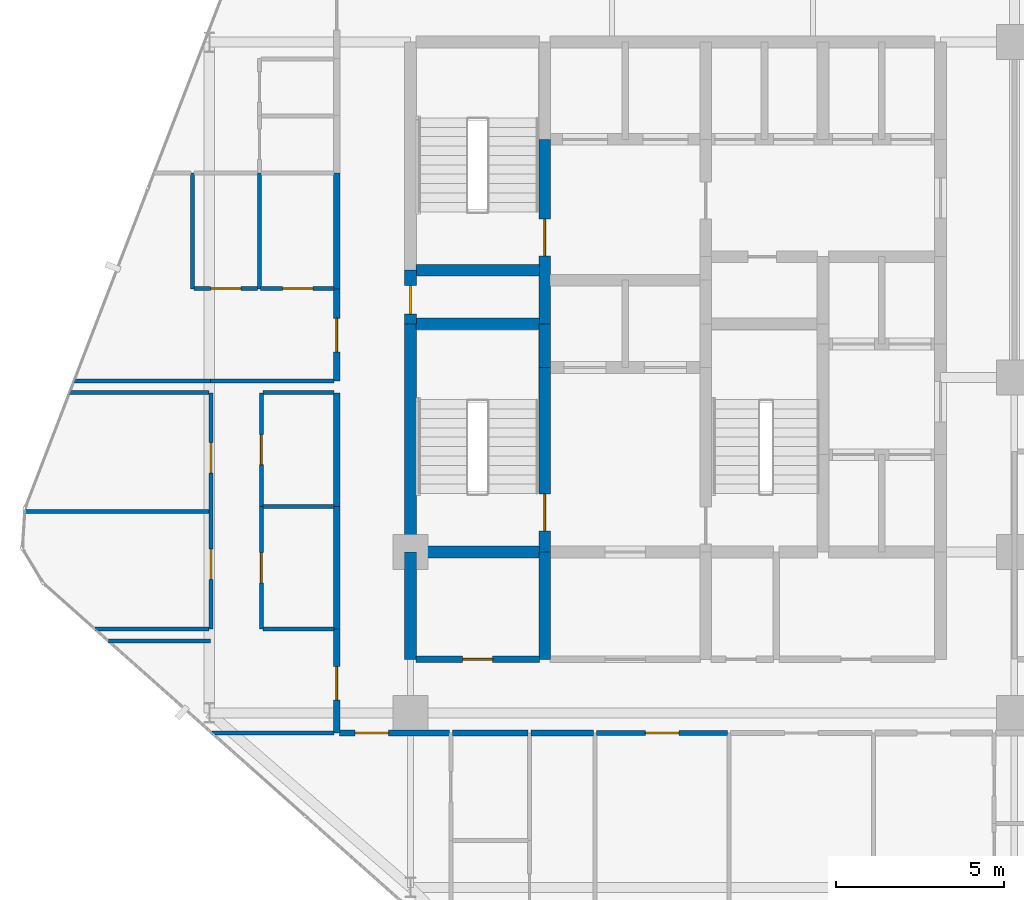
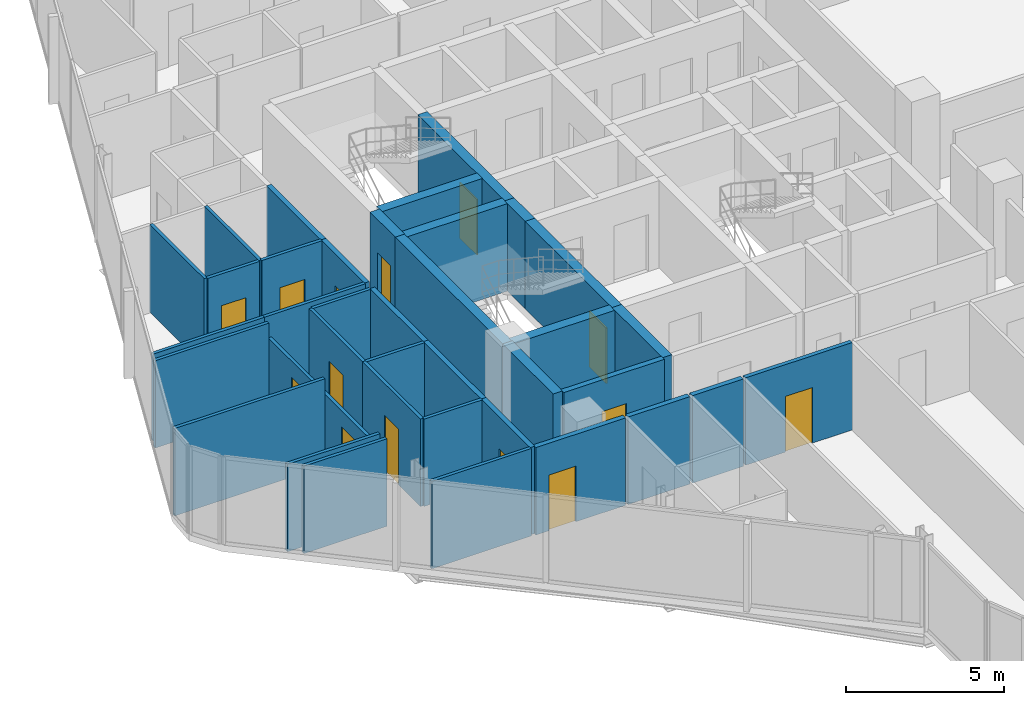
# One storey, part 24 of 30: 37 walls, 14 doors, 14 openings.
"""IFC4 building model written with IfcOpenShell, lengths in metres."""

import ifcopenshell
import ifcopenshell.guid

model = None  # the IFC model being written
_history = None  # IfcOwnerHistory: only IFC2X3 demands one
_inside = {}  # id of a spatial element -> (the spatial element, [elements in it])
_under = {}  # id of a project, library or spatial element -> (it, [spatial elements below it])
_declared = {}  # id of a project -> (the project, [libraries it declares])
_typed = {}  # id of a type object -> (the type object, [elements of that type])
_made_of = {}  # id of a material, layer set ... -> (it, [elements and type objects made of it])


def new_model(schema):
    """Start an empty IFC model of exactly this schema.

    Asked for "IFC4X3", IfcOpenShell would pick the latest addendum, in which some entities
    have other attributes; the version numbers below select the first issue.
    IFC2X3 requires an IfcOwnerHistory on every rooted entity: one is made here for all.
    """
    global model, _history
    if schema == "IFC4X3":
        model = ifcopenshell.file(schema_version=(4, 3, 0, 0))
    else:
        model = ifcopenshell.file(schema=schema)
    _inside.clear()
    _under.clear()
    _declared.clear()
    _typed.clear()
    _made_of.clear()
    _history = None
    if model.schema == "IFC2X3":
        org = make("IfcOrganization", Name="unknown")
        user = make(
            "IfcPersonAndOrganization",
            ThePerson=make("IfcPerson", FamilyName="unknown"),
            TheOrganization=org,
        )
        app = make(
            "IfcApplication",
            ApplicationDeveloper=org,
            Version="unknown",
            ApplicationFullName="unknown",
            ApplicationIdentifier="unknown",
        )
        _history = make(
            "IfcOwnerHistory",
            OwningUser=user,
            OwningApplication=app,
            ChangeAction="ADDED",
            CreationDate=0,
        )
    return model


def make(cls, **values):
    """One entity of the class cls with the attributes given. An attribute that is None is left unset."""
    return model.create_entity(
        cls, **{name: value for name, value in values.items() if value is not None}
    )


def rooted(cls, **values):
    """An entity with a GlobalId (a new one), such as an element, a storey or a relation."""
    return make(cls, GlobalId=ifcopenshell.guid.new(), OwnerHistory=_history, **values)


def si_unit(unit_type, name, prefix=None):
    """IfcSIUnit, for example si_unit("LENGTHUNIT", "METRE", prefix="MILLI")."""
    return make("IfcSIUnit", UnitType=unit_type, Prefix=prefix, Name=name)


def assignment(units):
    """IfcUnitAssignment: the units of a project."""
    return None if units is None else make("IfcUnitAssignment", Units=units)


def point(xyz):
    """IfcCartesianPoint."""
    return None if xyz is None else make("IfcCartesianPoint", Coordinates=xyz)


def direction(xyz):
    """IfcDirection."""
    return None if xyz is None else make("IfcDirection", DirectionRatios=xyz)


def frame(location, z_axis=None, x_axis=None):
    """IfcAxis2Placement3D, a coordinate frame: its origin and axes. An axis left out is left unset."""
    return make(
        "IfcAxis2Placement3D",
        Location=point(location),
        Axis=direction(z_axis),
        RefDirection=direction(x_axis),
    )


def frame_2d(location, x_axis=None):
    """IfcAxis2Placement2D, a coordinate frame in the plane: its origin and x axis."""
    return make(
        "IfcAxis2Placement2D", Location=point(location), RefDirection=direction(x_axis)
    )


def origin():
    """The frame at (0, 0, 0) with its axes left unset."""
    return frame((0.0, 0.0, 0.0))


def place(relative_to, where):
    """IfcLocalPlacement: puts the frame where relative to a parent placement (None: the world)."""
    return make(
        "IfcLocalPlacement", PlacementRelTo=relative_to, RelativePlacement=where
    )


def context(
    kind, dimensions, precision=None, world=None, true_north=None, identifier=None
):
    """IfcGeometricRepresentationContext, for example the 3D "Model" context."""
    return make(
        "IfcGeometricRepresentationContext",
        ContextIdentifier=identifier,
        ContextType=kind,
        CoordinateSpaceDimension=dimensions,
        Precision=precision,
        WorldCoordinateSystem=world,
        TrueNorth=true_north,
    )


def subcontext(parent, identifier, kind, view, scale=None):
    """IfcGeometricRepresentationSubContext, for example "Body" below "Model"."""
    return make(
        "IfcGeometricRepresentationSubContext",
        ContextIdentifier=identifier,
        ContextType=kind,
        ParentContext=parent,
        TargetScale=scale,
        TargetView=view,
    )


def project(units=None, contexts=None):
    """IfcProject with its units and contexts."""
    return rooted(
        "IfcProject",
        Name="project",
        RepresentationContexts=contexts,
        UnitsInContext=assignment(units),
    )


def spatial(cls, under=None, at=None, **own):
    """A site, building, storey or space (cls), placed at a placement, below another one or the project."""
    s = rooted(cls, ObjectPlacement=at, **own)
    if under is not None:
        _under.setdefault(under.id(), (under, []))[1].append(s)
    return s


def profile(cls, at=None, kind="AREA", **sizes):
    """A parametric profile (cls). Its sizes go by their IFC names, for example OverallWidth=200.0."""
    return make(cls, ProfileType=kind, Position=at, **sizes)


def rectangle(**sizes):
    """IfcRectangleProfileDef."""
    return profile("IfcRectangleProfileDef", **sizes)


def extrude(swept, where, along, depth):
    """IfcExtrudedAreaSolid: the profile swept, set in the frame where, extruded along a direction by depth."""
    return make(
        "IfcExtrudedAreaSolid",
        SweptArea=swept,
        Position=where,
        ExtrudedDirection=direction(along),
        Depth=depth,
    )


def shape(context_of_items, identifier, shape_type, items):
    """IfcShapeRepresentation: the items that make up one representation, for example the "Body"."""
    return make(
        "IfcShapeRepresentation",
        ContextOfItems=context_of_items,
        RepresentationIdentifier=identifier,
        RepresentationType=shape_type,
        Items=items,
    )


def material(Name=None, Category=None):
    """IfcMaterial."""
    return make("IfcMaterial", Name=Name, Category=Category)


def layer(
    of_material, thickness, ventilated=None, Name=None, Category=None, Priority=None
):
    """IfcMaterialLayer: one layer of a wall or slab, of a material (None: an air gap)."""
    return make(
        "IfcMaterialLayer",
        Material=of_material,
        LayerThickness=thickness,
        IsVentilated=ventilated,
        Name=Name,
        Category=Category,
        Priority=Priority,
    )


def layer_set(layers, Name=None):
    """IfcMaterialLayerSet."""
    return make("IfcMaterialLayerSet", MaterialLayers=layers, LayerSetName=Name)


def made_of(thing, what):
    """Note that an element or type object is made of a material, layer set ...; save() writes the relation."""
    if what is not None:
        _made_of.setdefault(what.id(), (what, []))[1].append(thing)
    return thing


def type_object(cls, material=None, **own):
    """A type object (cls), such as IfcWallType, which elements share."""
    return made_of(rooted(cls, **own), material)


def element(
    cls,
    number,
    at=None,
    inside=None,
    cuts=None,
    type_object=None,
    material=None,
    context=None,
    identifier="Body",
    shape_type=None,
    held_by="IfcProductDefinitionShape",
    body=None,
    shapes=None,
    **own,
):
    """One element of the class cls, such as IfcWall. Its Tag is "e" and its number.

    at: its placement. inside: the storey or other place that contains it. cuts: it is an
    opening in that element (IfcRelVoidsElement). A single representation is given by context,
    identifier, shape_type and body (its items); several are given by shapes. held_by: the class
    of the entity that holds the representations. save() writes the other relations.
    """
    e = rooted(cls, Tag="e%d" % number, ObjectPlacement=at, **own)
    if body is not None:
        shapes = [shape(context, identifier, shape_type, body)]
    if shapes is not None:
        e.Representation = make(held_by, Representations=shapes)
    if inside is not None:
        _inside.setdefault(inside.id(), (inside, []))[1].append(e)
    if cuts is not None:
        rooted(
            "IfcRelVoidsElement", RelatingBuildingElement=cuts, RelatedOpeningElement=e
        )
    if type_object is not None:
        _typed.setdefault(type_object.id(), (type_object, []))[1].append(e)
    return made_of(e, material)


def fill(opening, filler):
    """IfcRelFillsElement: the door or window that sits in an opening."""
    return rooted(
        "IfcRelFillsElement",
        RelatingOpeningElement=opening,
        RelatedBuildingElement=filler,
    )


def aggregate(whole, parts):
    """IfcRelAggregates: a whole, such as a stair, and the parts it consists of."""
    return rooted("IfcRelAggregates", RelatingObject=whole, RelatedObjects=parts)


def save(model, path):
    """Write the relations noted so far, then the file.

    IfcRelAggregates (storeys below a building ...), IfcRelContainedInSpatialStructure (elements
    in a storey), IfcRelDefinesByType, IfcRelAssociatesMaterial and IfcRelDeclares: one each for
    every whole, place, type object, material and project.
    """
    for whole, parts in _under.values():
        aggregate(whole, parts)
    for where, things in _inside.values():
        rooted(
            "IfcRelContainedInSpatialStructure",
            RelatedElements=things,
            RelatingStructure=where,
        )
    for kind, things in _typed.values():
        rooted("IfcRelDefinesByType", RelatedObjects=things, RelatingType=kind)
    for what, things in _made_of.values():
        rooted("IfcRelAssociatesMaterial", RelatedObjects=things, RelatingMaterial=what)
    for by, libraries in _declared.values():
        rooted("IfcRelDeclares", RelatingContext=by, RelatedDefinitions=libraries)
    model.write(path)


model = new_model("IFC4")

# Units and contexts
model_context = context("Model", 3, precision=1e-05, world=origin(), true_north=direction((0.0, 1.0)))
body_context = subcontext(model_context, "Body", "Model", "MODEL_VIEW")
ifc_project = project(units=[si_unit("LENGTHUNIT", "METRE"), si_unit("AREAUNIT", "SQUARE_METRE"), si_unit("VOLUMEUNIT", "CUBIC_METRE"), si_unit("PLANEANGLEUNIT", "RADIAN"), si_unit("MASSUNIT", "GRAM", prefix="KILO")], contexts=[model_context])

# Site, building, storey
site_placement = place(None, origin())
site = spatial("IfcSite", under=ifc_project, at=site_placement, CompositionType="ELEMENT")
building_placement = place(site_placement, origin())
building = spatial("IfcBuilding", under=site, at=building_placement, Name="Keshet Zoharim Tower", CompositionType="ELEMENT")
storey_placement = place(building_placement, frame((0.0, 0.0, 116.800048828125)))
storey = spatial("IfcBuildingStorey", under=building, at=storey_placement, Name="L28", CompositionType="ELEMENT", Elevation=116.800048828125)

# Wall, opening, door
ifc_material_1 = material(Name="Gypsum Plasterboard", Category="gypsum")
ifc_layer_1 = layer(ifc_material_1, 0.14990234375)
ifc_layer_set_1 = layer_set([ifc_layer_1], Name="Gypsum Plasterboard")
wall_type_1 = type_object("IfcWallType", Name="WL-CLIN-150", PredefinedType="STANDARD", material=ifc_layer_set_1)
wall_1_placement = place(storey_placement, frame((20.544921875, 17.300048828125, 0.0), z_axis=(0.0, 0.0, 1.0), x_axis=(1.0, 0.0, 0.0)))
wall_1 = element("IfcWall", 1, at=wall_1_placement, inside=storey, type_object=wall_type_1, Name="L28 Interior Wall 130", PredefinedType="STANDARD", context=body_context, shape_type="SweptSolid", body=[
    extrude(rectangle(XDim=3.91015625, YDim=0.14990234375, at=frame_2d((1.955078125, 0.0))), origin(), (0.0, 0.0, 1.0), 3.3798828125),
])
opening_1_placement = place(wall_1_placement, frame((1.455078125, 0.0, 0.0)))
opening_1 = element("IfcOpeningElement", 2, at=opening_1_placement, cuts=wall_1, Name="Opening D-F310", PredefinedType="OPENING", context=body_context, shape_type="SweptSolid", body=[
    extrude(rectangle(XDim=1.0, YDim=2.14990234375, at=frame_2d((0.5, 1.074951171875))), frame((0.0, 0.0849609375, 0.0), z_axis=(0.0, -1.0, 0.0), x_axis=(1.0, 0.0, 0.0)), (0.0, 0.0, 1.0), 0.169921875),
])
ifc_material_2 = material(Name="Hardwood Timber", Category="wood")
door_type_1 = type_object("IfcDoorType", Name="DR-FD30-100", OperationType="NOTDEFINED", PredefinedType="DOOR", material=ifc_material_2)
door_1_placement = place(opening_1_placement, origin())
door_1 = element("IfcDoor", 3, at=door_1_placement, inside=storey, type_object=door_type_1, Name="L28 Residents Telework Office Door", OperationType="SINGLE_SWING_LEFT", OverallHeight=2.14990234375, OverallWidth=1.0, PredefinedType="DOOR", context=body_context, shape_type="SweptSolid", body=[
    extrude(rectangle(XDim=1.0, YDim=2.14990234375, at=frame_2d((0.5, 1.074951171875))), frame((0.0, 0.02490234375, 0.0), z_axis=(0.0, -1.0, 0.0), x_axis=(1.0, 0.0, 0.0)), (0.0, 0.0, 1.0), 0.050048828125),
])
fill(opening_1, door_1)

# Walls
ifc_material_3 = material(Name="Concrete C60/75", Category="concrete")
ifc_layer_2 = layer(ifc_material_3, 0.35009765625)
ifc_layer_set_2 = layer_set([ifc_layer_2], Name="Concrete C60/75")
wall_type_2 = type_object("IfcWallType", Name="WL-CORE-350", PredefinedType="SHEAR", material=ifc_layer_set_2)
wall_2_placement = place(storey_placement, frame((15.0, 19.5, 0.0), z_axis=(0.0, 0.0, 1.0), x_axis=(0.0, 1.0, 0.0)))
element("IfcWall", 4, at=wall_2_placement, inside=storey, type_object=wall_type_2, Name="L28 Core Shear Wall 019", PredefinedType="SHEAR", context=body_context, shape_type="SweptSolid", body=[
    extrude(rectangle(XDim=3.199951171875, YDim=0.35009765625, at=frame_2d((1.60009765625, 0.0))), origin(), (0.0, 0.0, 1.0), 3.3798828125),
])
wall_3_placement = place(storey_placement, frame((15.0, 22.699951171875, 0.0), z_axis=(0.0, 0.0, 1.0), x_axis=(0.0, 1.0, 0.0)))
element("IfcWall", 5, at=wall_3_placement, inside=storey, type_object=wall_type_2, Name="L28 Core Shear Wall 020", PredefinedType="SHEAR", context=body_context, shape_type="SweptSolid", body=[
    extrude(rectangle(XDim=6.800048828125, YDim=0.35009765625, at=frame_2d((3.39990234375, 0.0))), origin(), (0.0, 0.0, 1.0), 3.3798828125),
])

# Wall, opening, door
wall_4_placement = place(storey_placement, frame((15.0, 29.5, 0.0), z_axis=(0.0, 0.0, 1.0), x_axis=(0.0, 1.0, 0.0)))
wall_4 = element("IfcWall", 6, at=wall_4_placement, inside=storey, type_object=wall_type_2, Name="L28 Core Shear Wall 021", PredefinedType="SHEAR", context=body_context, shape_type="SweptSolid", body=[
    extrude(rectangle(XDim=1.60009765625, YDim=0.35009765625, at=frame_2d((0.800048828125, 0.0))), origin(), (0.0, 0.0, 1.0), 3.3798828125),
])
opening_2_placement = place(wall_4_placement, frame((0.287109375, 0.0, 0.0)))
opening_2 = element("IfcOpeningElement", 7, at=opening_2_placement, cuts=wall_4, Name="Opening D-RS85", PredefinedType="OPENING", context=body_context, shape_type="SweptSolid", body=[
    extrude(rectangle(XDim=0.85009765625, YDim=2.10009765625, at=frame_2d((0.425048828125, 1.050048828125))), frame((0.0, 0.18505859375, 0.0), z_axis=(0.0, -1.0, 0.0), x_axis=(1.0, 0.0, 0.0)), (0.0, 0.0, 1.0), 0.3701171875),
])
door_type_2 = type_object("IfcDoorType", Name="DR-RIS-085", OperationType="NOTDEFINED", PredefinedType="DOOR", material=ifc_material_2)
door_2_placement = place(opening_2_placement, origin())
door_2 = element("IfcDoor", 8, at=door_2_placement, inside=storey, type_object=door_type_2, Name="L28 Electrical Riser Access Cupboard Door", OperationType="SINGLE_SWING_LEFT", OverallHeight=2.10009765625, OverallWidth=0.85009765625, PredefinedType="DOOR", context=body_context, shape_type="SweptSolid", body=[
    extrude(rectangle(XDim=0.85009765625, YDim=2.10009765625, at=frame_2d((0.425048828125, 1.050048828125))), frame((0.0, 0.02490234375, 0.0), z_axis=(0.0, -1.0, 0.0), x_axis=(1.0, 0.0, 0.0)), (0.0, 0.0, 1.0), 0.050048828125),
])
fill(opening_2, door_2)

# Wall
wall_5_placement = place(storey_placement, frame((19.0, 19.5, 0.0), z_axis=(0.0, 0.0, 1.0), x_axis=(0.0, 1.0, 0.0)))
element("IfcWall", 9, at=wall_5_placement, inside=storey, type_object=wall_type_2, Name="L28 Core Shear Wall 029", PredefinedType="SHEAR", context=body_context, shape_type="SweptSolid", body=[
    extrude(rectangle(XDim=3.199951171875, YDim=0.35009765625, at=frame_2d((1.60009765625, 0.0))), origin(), (0.0, 0.0, 1.0), 3.3798828125),
])

# Wall, opening, door
wall_6_placement = place(storey_placement, frame((19.0, 22.699951171875, 0.0), z_axis=(0.0, 0.0, 1.0), x_axis=(0.0, 1.0, 0.0)))
wall_6 = element("IfcWall", 10, at=wall_6_placement, inside=storey, type_object=wall_type_2, Name="L28 Core Shear Wall 030", PredefinedType="SHEAR", context=body_context, shape_type="SweptSolid", body=[
    extrude(rectangle(XDim=5.5, YDim=0.35009765625, at=frame_2d((2.75, 0.0))), origin(), (0.0, 0.0, 1.0), 3.3798828125),
])
opening_3_placement = place(wall_6_placement, frame((0.631103515625, 0.0, 0.0)))
opening_3 = element("IfcOpeningElement", 11, at=opening_3_placement, cuts=wall_6, Name="Opening D-F611", PredefinedType="OPENING", context=body_context, shape_type="SweptSolid", body=[
    extrude(rectangle(XDim=1.10009765625, YDim=2.14990234375, at=frame_2d((0.550048828125, 1.074951171875))), frame((0.0, 0.18505859375, 0.0), z_axis=(0.0, -1.0, 0.0), x_axis=(1.0, 0.0, 0.0)), (0.0, 0.0, 1.0), 0.3701171875),
])
door_type_3 = type_object("IfcDoorType", Name="DR-FD60-110", OperationType="NOTDEFINED", PredefinedType="DOOR", material=ifc_material_2)
door_3_placement = place(opening_3_placement, origin())
door_3 = element("IfcDoor", 12, at=door_3_placement, inside=storey, type_object=door_type_3, Name="L28 Exit Stair ST-01 Fire Door", OperationType="SINGLE_SWING_RIGHT", OverallHeight=2.14990234375, OverallWidth=1.10009765625, PredefinedType="DOOR", context=body_context, shape_type="SweptSolid", body=[
    extrude(rectangle(XDim=1.10009765625, YDim=2.14990234375, at=frame_2d((0.550048828125, 1.074951171875))), frame((0.0, 0.02490234375, 0.0), z_axis=(0.0, -1.0, 0.0), x_axis=(1.0, 0.0, 0.0)), (0.0, 0.0, 1.0), 0.050048828125),
])
fill(opening_3, door_3)

# Wall
wall_7_placement = place(storey_placement, frame((19.0, 28.199951171875, 0.0), z_axis=(0.0, 0.0, 1.0), x_axis=(0.0, 1.0, 0.0)))
element("IfcWall", 13, at=wall_7_placement, inside=storey, type_object=wall_type_2, Name="L28 Core Shear Wall 031", PredefinedType="SHEAR", context=body_context, shape_type="SweptSolid", body=[
    extrude(rectangle(XDim=1.300048828125, YDim=0.35009765625, at=frame_2d((0.64990234375, 0.0))), origin(), (0.0, 0.0, 1.0), 3.3798828125),
])

# Wall, opening, door
wall_8_placement = place(storey_placement, frame((19.0, 29.5, 0.0), z_axis=(0.0, 0.0, 1.0), x_axis=(0.0, 1.0, 0.0)))
wall_8 = element("IfcWall", 14, at=wall_8_placement, inside=storey, type_object=wall_type_2, Name="L28 Core Shear Wall 032", PredefinedType="SHEAR", context=body_context, shape_type="SweptSolid", body=[
    extrude(rectangle(XDim=5.5, YDim=0.35009765625, at=frame_2d((2.75, 0.0))), origin(), (0.0, 0.0, 1.0), 3.3798828125),
])
opening_4_placement = place(wall_8_placement, frame((2.02490234375, 0.0, 0.0)))
opening_4 = element("IfcOpeningElement", 15, at=opening_4_placement, cuts=wall_8, Name="Opening D-F611", PredefinedType="OPENING", context=body_context, shape_type="SweptSolid", body=[
    extrude(rectangle(XDim=1.10009765625, YDim=2.14990234375, at=frame_2d((0.550048828125, 1.074951171875))), frame((0.0, 0.18505859375, 0.0), z_axis=(0.0, -1.0, 0.0), x_axis=(1.0, 0.0, 0.0)), (0.0, 0.0, 1.0), 0.3701171875),
])
door_4_placement = place(opening_4_placement, origin())
door_4 = element("IfcDoor", 16, at=door_4_placement, inside=storey, type_object=door_type_3, Name="L28 Exit Stair ST-02 Fire Door", OperationType="SINGLE_SWING_LEFT", OverallHeight=2.14990234375, OverallWidth=1.10009765625, PredefinedType="DOOR", context=body_context, shape_type="SweptSolid", body=[
    extrude(rectangle(XDim=1.10009765625, YDim=2.14990234375, at=frame_2d((0.550048828125, 1.074951171875))), frame((0.0, 0.02490234375, 0.0), z_axis=(0.0, -1.0, 0.0), x_axis=(1.0, 0.0, 0.0)), (0.0, 0.0, 1.0), 0.050048828125),
])
fill(opening_4, door_4)

# Walls
for number, where, z_axis, x_axis, name in (
    (17, (15.159912109375, 22.699951171875, 0.0), (0.0, 0.0, 1.0), (1.0, 0.0, 0.0), "L28 Core Shear Wall 149"),
    (18, (15.159912109375, 29.5, 0.0), (0.0, 0.0, 1.0), (1.0, 0.0, 0.0), "L28 Core Shear Wall 165"),
    (19, (15.159912109375, 31.10009765625, 0.0), (0.0, 0.0, 1.0), (1.0, 0.0, 0.0), "L28 Core Shear Wall 170"),
):
    element("IfcWall", number, at=place(storey_placement, frame(where, z_axis=z_axis, x_axis=x_axis)), inside=storey, type_object=wall_type_2, Name=name, PredefinedType="SHEAR", context=body_context, shape_type="SweptSolid", body=[
        extrude(rectangle(XDim=3.68017578125, YDim=0.35009765625, at=frame_2d((1.840087890625, 0.0))), origin(), (0.0, 0.0, 1.0), 3.3798828125),
    ])

# Wall, opening, door
ifc_layer_3 = layer(ifc_material_1, 0.179931640625)
ifc_layer_set_3 = layer_set([ifc_layer_3], Name="Gypsum Plasterboard")
wall_type_3 = type_object("IfcWallType", Name="WL-CORR-180", PredefinedType="STANDARD", material=ifc_layer_set_3)
wall_9_placement = place(storey_placement, frame((12.800048828125, 17.300048828125, 0.0), z_axis=(0.0, 0.0, 1.0), x_axis=(0.0, 1.0, 0.0)))
wall_9 = element("IfcWall", 20, at=wall_9_placement, inside=storey, type_object=wall_type_3, Name="L28 Interior Wall 008", PredefinedType="STANDARD", context=body_context, shape_type="SweptSolid", body=[
    extrude(rectangle(XDim=3.099853515625, YDim=0.179931640625, at=frame_2d((1.5498046875, 0.0))), origin(), (0.0, 0.0, 1.0), 3.3798828125),
])
opening_5_placement = place(wall_9_placement, frame((0.97802734375, 0.0, 0.0)))
opening_5 = element("IfcOpeningElement", 21, at=opening_5_placement, cuts=wall_9, Name="Opening D-F310", PredefinedType="OPENING", context=body_context, shape_type="SweptSolid", body=[
    extrude(rectangle(XDim=1.0, YDim=2.14990234375, at=frame_2d((0.5, 1.074951171875))), frame((0.0, 0.10009765625, 0.0), z_axis=(0.0, -1.0, 0.0), x_axis=(1.0, 0.0, 0.0)), (0.0, 0.0, 1.0), 0.199951171875),
])
door_5_placement = place(opening_5_placement, origin())
door_5 = element("IfcDoor", 22, at=door_5_placement, inside=storey, type_object=door_type_1, Name="Apartment 2809 Entrance Door", OperationType="SINGLE_SWING_RIGHT", OverallHeight=2.14990234375, OverallWidth=1.0, PredefinedType="DOOR", context=body_context, shape_type="SweptSolid", body=[
    extrude(rectangle(XDim=1.0, YDim=2.14990234375, at=frame_2d((0.5, 1.074951171875))), frame((0.0, 0.02490234375, 0.0), z_axis=(0.0, -1.0, 0.0), x_axis=(1.0, 0.0, 0.0)), (0.0, 0.0, 1.0), 0.050048828125),
])
fill(opening_5, door_5)

# Walls
wall_10_placement = place(storey_placement, frame((12.800048828125, 20.39990234375, 0.0), z_axis=(0.0, 0.0, 1.0), x_axis=(0.0, 1.0, 0.0)))
element("IfcWall", 23, at=wall_10_placement, inside=storey, type_object=wall_type_3, Name="L28 Interior Wall 009", PredefinedType="STANDARD", context=body_context, shape_type="SweptSolid", body=[
    extrude(rectangle(XDim=3.6611328125, YDim=0.179931640625, at=frame_2d((1.83056640625, 0.0))), origin(), (0.0, 0.0, 1.0), 3.3798828125),
])
wall_11_placement = place(storey_placement, frame((12.800048828125, 24.06103515625, 0.0), z_axis=(0.0, 0.0, 1.0), x_axis=(0.0, 1.0, 0.0)))
element("IfcWall", 24, at=wall_11_placement, inside=storey, type_object=wall_type_3, Name="L28 Interior Wall 010", PredefinedType="STANDARD", context=body_context, shape_type="SweptSolid", body=[
    extrude(rectangle(XDim=3.37890625, YDim=0.179931640625, at=frame_2d((1.689453125, 0.0))), origin(), (0.0, 0.0, 1.0), 3.3798828125),
])

# Wall, opening, door
wall_12_placement = place(storey_placement, frame((12.800048828125, 27.7900390625, 0.0), z_axis=(0.0, 0.0, 1.0), x_axis=(0.0, 1.0, 0.0)))
wall_12 = element("IfcWall", 25, at=wall_12_placement, inside=storey, type_object=wall_type_3, Name="L28 Interior Wall 011", PredefinedType="STANDARD", context=body_context, shape_type="SweptSolid", body=[
    extrude(rectangle(XDim=2.75, YDim=0.179931640625, at=frame_2d((1.375, 0.0))), origin(), (0.0, 0.0, 1.0), 3.3798828125),
])
opening_6_placement = place(wall_12_placement, frame((0.875, 0.0, 0.0)))
opening_6 = element("IfcOpeningElement", 26, at=opening_6_placement, cuts=wall_12, Name="Opening D-F310", PredefinedType="OPENING", context=body_context, shape_type="SweptSolid", body=[
    extrude(rectangle(XDim=1.0, YDim=2.14990234375, at=frame_2d((0.5, 1.074951171875))), frame((0.0, 0.10009765625, 0.0), z_axis=(0.0, -1.0, 0.0), x_axis=(1.0, 0.0, 0.0)), (0.0, 0.0, 1.0), 0.199951171875),
])
door_6_placement = place(opening_6_placement, origin())
door_6 = element("IfcDoor", 27, at=door_6_placement, inside=storey, type_object=door_type_1, Name="Apartment 2810 Entrance Door", OperationType="SINGLE_SWING_LEFT", OverallHeight=2.14990234375, OverallWidth=1.0, PredefinedType="DOOR", context=body_context, shape_type="SweptSolid", body=[
    extrude(rectangle(XDim=1.0, YDim=2.14990234375, at=frame_2d((0.5, 1.074951171875))), frame((0.0, 0.02490234375, 0.0), z_axis=(0.0, -1.0, 0.0), x_axis=(1.0, 0.0, 0.0)), (0.0, 0.0, 1.0), 0.050048828125),
])
fill(opening_6, door_6)

# Wall
wall_13_placement = place(storey_placement, frame((12.800048828125, 30.5400390625, 0.0), z_axis=(0.0, 0.0, 1.0), x_axis=(0.0, 1.0, 0.0)))
element("IfcWall", 28, at=wall_13_placement, inside=storey, type_object=wall_type_3, Name="L28 Interior Wall 012", PredefinedType="STANDARD", context=body_context, shape_type="SweptSolid", body=[
    extrude(rectangle(XDim=3.4599609375, YDim=0.179931640625, at=frame_2d((1.72998046875, 0.0))), origin(), (0.0, 0.0, 1.0), 3.3798828125),
])

# Wall, opening, door
wall_14_placement = place(storey_placement, frame((12.875, 17.300048828125, 0.0), z_axis=(0.0, 0.0, 1.0), x_axis=(1.0, 0.0, 0.0)))
wall_14 = element("IfcWall", 29, at=wall_14_placement, inside=storey, type_object=wall_type_3, Name="L28 Interior Wall 127", PredefinedType="STANDARD", context=body_context, shape_type="SweptSolid", body=[
    extrude(rectangle(XDim=3.280029296875, YDim=0.179931640625, at=frame_2d((1.64013671875, 0.0))), origin(), (0.0, 0.0, 1.0), 3.3798828125),
])
opening_7_placement = place(wall_14_placement, frame((0.470947265625, 0.0, 0.0)))
opening_7 = element("IfcOpeningElement", 30, at=opening_7_placement, cuts=wall_14, Name="Opening D-F310", PredefinedType="OPENING", context=body_context, shape_type="SweptSolid", body=[
    extrude(rectangle(XDim=1.0, YDim=2.14990234375, at=frame_2d((0.5, 1.074951171875))), frame((0.0, 0.10009765625, 0.0), z_axis=(0.0, -1.0, 0.0), x_axis=(1.0, 0.0, 0.0)), (0.0, 0.0, 1.0), 0.199951171875),
])
door_7_placement = place(opening_7_placement, origin())
door_7 = element("IfcDoor", 31, at=door_7_placement, inside=storey, type_object=door_type_1, Name="Apartment 2801 Entrance Door", OperationType="SINGLE_SWING_RIGHT", OverallHeight=2.14990234375, OverallWidth=1.0, PredefinedType="DOOR", context=body_context, shape_type="SweptSolid", body=[
    extrude(rectangle(XDim=1.0, YDim=2.14990234375, at=frame_2d((0.5, 1.074951171875))), frame((0.0, 0.02490234375, 0.0), z_axis=(0.0, -1.0, 0.0), x_axis=(1.0, 0.0, 0.0)), (0.0, 0.0, 1.0), 0.050048828125),
])
fill(opening_7, door_7)

# Walls
wall_15_placement = place(storey_placement, frame((16.2451171875, 17.300048828125, 0.0), z_axis=(0.0, 0.0, 1.0), x_axis=(1.0, 0.0, 0.0)))
element("IfcWall", 32, at=wall_15_placement, inside=storey, type_object=wall_type_3, Name="L28 Interior Wall 128", PredefinedType="STANDARD", context=body_context, shape_type="SweptSolid", body=[
    extrude(rectangle(XDim=2.259765625, YDim=0.179931640625, at=frame_2d((1.1298828125, 0.0))), origin(), (0.0, 0.0, 1.0), 3.3798828125),
])
wall_16_placement = place(storey_placement, frame((18.594970703125, 17.300048828125, 0.0), z_axis=(0.0, 0.0, 1.0), x_axis=(1.0, 0.0, 0.0)))
element("IfcWall", 33, at=wall_16_placement, inside=storey, type_object=wall_type_3, Name="L28 Interior Wall 129", PredefinedType="STANDARD", context=body_context, shape_type="SweptSolid", body=[
    extrude(rectangle(XDim=1.860107421875, YDim=0.179931640625, at=frame_2d((0.93017578125, 0.0))), origin(), (0.0, 0.0, 1.0), 3.3798828125),
])

# Wall, opening, door
ifc_material_4 = material(Name="Concrete C50/60", Category="concrete")
ifc_layer_4 = layer(ifc_material_4, 0.199951171875)
ifc_layer_set_4 = layer_set([ifc_layer_4], Name="Concrete C50/60")
wall_type_4 = type_object("IfcWallType", Name="WL-FIRE-200", PredefinedType="STANDARD", material=ifc_layer_set_4)
wall_17_placement = place(storey_placement, frame((15.159912109375, 19.5, 0.0), z_axis=(0.0, 0.0, 1.0), x_axis=(1.0, 0.0, 0.0)))
wall_17 = element("IfcWall", 34, at=wall_17_placement, inside=storey, type_object=wall_type_4, Name="L28 Interior Wall 141", PredefinedType="STANDARD", context=body_context, shape_type="SweptSolid", body=[
    extrude(rectangle(XDim=3.68017578125, YDim=0.199951171875, at=frame_2d((1.840087890625, 0.0))), origin(), (0.0, 0.0, 1.0), 3.3798828125),
])
opening_8_placement = place(wall_17_placement, frame((1.389892578125, 0.0, 0.0)))
opening_8 = element("IfcOpeningElement", 35, at=opening_8_placement, cuts=wall_17, Name="Opening D-F690", PredefinedType="OPENING", context=body_context, shape_type="SweptSolid", body=[
    extrude(rectangle(XDim=0.89990234375, YDim=2.14990234375, at=frame_2d((0.449951171875, 1.074951171875))), frame((0.0, 0.10986328125, 0.0), z_axis=(0.0, -1.0, 0.0), x_axis=(1.0, 0.0, 0.0)), (0.0, 0.0, 1.0), 0.219970703125),
])
door_type_4 = type_object("IfcDoorType", Name="DR-FD60-090", OperationType="NOTDEFINED", PredefinedType="DOOR", material=ifc_material_2)
door_8_placement = place(opening_8_placement, origin())
door_8 = element("IfcDoor", 36, at=door_8_placement, inside=storey, type_object=door_type_4, Name="L28 Refuse Room Door", OperationType="SINGLE_SWING_RIGHT", OverallHeight=2.14990234375, OverallWidth=0.89990234375, PredefinedType="DOOR", context=body_context, shape_type="SweptSolid", body=[
    extrude(rectangle(XDim=0.89990234375, YDim=2.14990234375, at=frame_2d((0.449951171875, 1.074951171875))), frame((0.0, 0.02490234375, 0.0), z_axis=(0.0, -1.0, 0.0), x_axis=(1.0, 0.0, 0.0)), (0.0, 0.0, 1.0), 0.050048828125),
])
fill(opening_8, door_8)

# Wall
ifc_layer_5 = layer(ifc_material_1, 0.1201171875)
ifc_layer_set_5 = layer_set([ifc_layer_5], Name="Gypsum Plasterboard")
wall_type_5 = type_object("IfcWallType", Name="WL-PART-120", PredefinedType="PARTITIONING", material=ifc_layer_set_5)
wall_18_placement = place(storey_placement, frame((8.5, 30.5400390625, 0.0), z_axis=(0.0, 0.0, 1.0), x_axis=(0.0, 1.0, 0.0)))
element("IfcWall", 37, at=wall_18_placement, inside=storey, type_object=wall_type_5, Name="L28 Interior Wall 001", PredefinedType="PARTITIONING", context=body_context, shape_type="SweptSolid", body=[
    extrude(rectangle(XDim=3.4599609375, YDim=0.1201171875, at=frame_2d((1.72998046875, 0.0))), origin(), (0.0, 0.0, 1.0), 3.3798828125),
])

# Wall, openings, doors
wall_19_placement = place(storey_placement, frame((9.050048828125, 20.39990234375, 0.0), z_axis=(0.0, 0.0, 1.0), x_axis=(0.0, 1.0, 0.0)))
wall_19 = element("IfcWall", 38, at=wall_19_placement, inside=storey, type_object=wall_type_5, Name="L28 Interior Wall 002", PredefinedType="PARTITIONING", context=body_context, shape_type="SweptSolid", body=[
    extrude(rectangle(XDim=7.0400390625, YDim=0.1201171875, at=frame_2d((3.52001953125, 0.0))), origin(), (0.0, 0.0, 1.0), 2.780029296875),
])
opening_9_placement = place(wall_19_placement, frame((1.485107421875, 0.0, 0.0)))
opening_9 = element("IfcOpeningElement", 39, at=opening_9_placement, cuts=wall_19, Name="Opening D-IN90", PredefinedType="OPENING", context=body_context, shape_type="SweptSolid", body=[
    extrude(rectangle(XDim=0.89990234375, YDim=2.14990234375, at=frame_2d((0.449951171875, 1.074951171875))), frame((0.0, 0.070068359375, 0.0), z_axis=(0.0, -1.0, 0.0), x_axis=(1.0, 0.0, 0.0)), (0.0, 0.0, 1.0), 0.14013671875),
])
opening_10_placement = place(wall_19_placement, frame((4.655029296875, 0.0, 0.0)))
opening_10 = element("IfcOpeningElement", 40, at=opening_10_placement, cuts=wall_19, Name="Opening D-IN90", PredefinedType="OPENING", context=body_context, shape_type="SweptSolid", body=[
    extrude(rectangle(XDim=0.89990234375, YDim=2.14990234375, at=frame_2d((0.449951171875, 1.074951171875))), frame((0.0, 0.070068359375, 0.0), z_axis=(0.0, -1.0, 0.0), x_axis=(1.0, 0.0, 0.0)), (0.0, 0.0, 1.0), 0.14013671875),
])
door_type_5 = type_object("IfcDoorType", Name="DR-INT-090", OperationType="NOTDEFINED", PredefinedType="DOOR", material=ifc_material_2)
door_9_placement = place(opening_9_placement, origin())
door_9 = element("IfcDoor", 41, at=door_9_placement, inside=storey, type_object=door_type_5, Name="Apartment 2809 Bedroom 1 Door", OperationType="SINGLE_SWING_RIGHT", OverallHeight=2.14990234375, OverallWidth=0.89990234375, PredefinedType="DOOR", context=body_context, shape_type="SweptSolid", body=[
    extrude(rectangle(XDim=0.89990234375, YDim=2.14990234375, at=frame_2d((0.449951171875, 1.074951171875))), frame((0.0, 0.02490234375, 0.0), z_axis=(0.0, -1.0, 0.0), x_axis=(1.0, 0.0, 0.0)), (0.0, 0.0, 1.0), 0.050048828125),
])
fill(opening_9, door_9)
door_10_placement = place(opening_10_placement, origin())
door_10 = element("IfcDoor", 42, at=door_10_placement, inside=storey, type_object=door_type_5, Name="Apartment 2809 Bedroom 2 Door", OperationType="SINGLE_SWING_LEFT", OverallHeight=2.14990234375, OverallWidth=0.89990234375, PredefinedType="DOOR", context=body_context, shape_type="SweptSolid", body=[
    extrude(rectangle(XDim=0.89990234375, YDim=2.14990234375, at=frame_2d((0.449951171875, 1.074951171875))), frame((0.0, 0.02490234375, 0.0), z_axis=(0.0, -1.0, 0.0), x_axis=(1.0, 0.0, 0.0)), (0.0, 0.0, 1.0), 0.050048828125),
])
fill(opening_10, door_10)

# Wall, opening, door
wall_20_placement = place(storey_placement, frame((10.550048828125, 20.39990234375, 0.0), z_axis=(0.0, 0.0, 1.0), x_axis=(0.0, 1.0, 0.0)))
wall_20 = element("IfcWall", 43, at=wall_20_placement, inside=storey, type_object=wall_type_5, Name="L28 Interior Wall 006", PredefinedType="PARTITIONING", context=body_context, shape_type="SweptSolid", body=[
    extrude(rectangle(XDim=3.6611328125, YDim=0.1201171875, at=frame_2d((1.83056640625, 0.0))), origin(), (0.0, 0.0, 1.0), 3.3798828125),
])
opening_11_placement = place(wall_20_placement, frame((1.3798828125, 0.0, 0.0)))
opening_11 = element("IfcOpeningElement", 44, at=opening_11_placement, cuts=wall_20, Name="Opening D-IN90", PredefinedType="OPENING", context=body_context, shape_type="SweptSolid", body=[
    extrude(rectangle(XDim=0.89990234375, YDim=2.14990234375, at=frame_2d((0.449951171875, 1.074951171875))), frame((0.0, 0.070068359375, 0.0), z_axis=(0.0, -1.0, 0.0), x_axis=(1.0, 0.0, 0.0)), (0.0, 0.0, 1.0), 0.14013671875),
])
door_11_placement = place(opening_11_placement, origin())
door_11 = element("IfcDoor", 45, at=door_11_placement, inside=storey, type_object=door_type_5, Name="Apartment 2809 Kitchen Door", OperationType="SINGLE_SWING_RIGHT", OverallHeight=2.14990234375, OverallWidth=0.89990234375, PredefinedType="DOOR", context=body_context, shape_type="SweptSolid", body=[
    extrude(rectangle(XDim=0.89990234375, YDim=2.14990234375, at=frame_2d((0.449951171875, 1.074951171875))), frame((0.0, 0.02490234375, 0.0), z_axis=(0.0, -1.0, 0.0), x_axis=(1.0, 0.0, 0.0)), (0.0, 0.0, 1.0), 0.050048828125),
])
fill(opening_11, door_11)

# Walls
wall_21_placement = place(storey_placement, frame((9.0849609375, 17.300048828125, 0.0), z_axis=(0.0, 0.0, 1.0), x_axis=(1.0, 0.0, 0.0)))
element("IfcWall", 46, at=wall_21_placement, inside=storey, type_object=wall_type_5, Name="L28 Interior Wall 126", PredefinedType="PARTITIONING", context=body_context, shape_type="SweptSolid", body=[
    extrude(rectangle(XDim=3.64013671875, YDim=0.1201171875, at=frame_2d((1.820068359375, 0.0))), origin(), (0.0, 0.0, 1.0), 3.3798828125),
])
wall_22_placement = place(storey_placement, frame((5.990966796875, 20.050048828125, 0.0), z_axis=(0.0, 0.0, 1.0), x_axis=(1.0, 0.0, 0.0)))
element("IfcWall", 47, at=wall_22_placement, inside=storey, type_object=wall_type_5, Name="L28 Interior Wall 146", PredefinedType="PARTITIONING", context=body_context, shape_type="SweptSolid", body=[
    extrude(rectangle(XDim=3.0390625, YDim=0.1201171875, at=frame_2d((1.51953125, 0.0))), origin(), (0.0, 0.0, 1.0), 3.3798828125),
])
wall_23_placement = place(storey_placement, frame((5.596923828125, 20.39990234375, 0.0), z_axis=(0.0, 0.0, 1.0), x_axis=(1.0, 0.0, 0.0)))
element("IfcWall", 48, at=wall_23_placement, inside=storey, type_object=wall_type_5, Name="L28 Interior Wall 147", PredefinedType="PARTITIONING", context=body_context, shape_type="SweptSolid", body=[
    extrude(rectangle(XDim=3.38818359375, YDim=0.1201171875, at=frame_2d((1.694091796875, 0.0))), origin(), (0.0, 0.0, 1.0), 3.3798828125),
])
wall_24_placement = place(storey_placement, frame((10.594970703125, 20.39990234375, 0.0), z_axis=(0.0, 0.0, 1.0), x_axis=(1.0, 0.0, 0.0)))
element("IfcWall", 49, at=wall_24_placement, inside=storey, type_object=wall_type_5, Name="L28 Interior Wall 148", PredefinedType="PARTITIONING", context=body_context, shape_type="SweptSolid", body=[
    extrude(rectangle(XDim=2.130126953125, YDim=0.1201171875, at=frame_2d((1.06494140625, 0.0))), origin(), (0.0, 0.0, 1.0), 3.3798828125),
])
wall_25_placement = place(storey_placement, frame((3.5009765625, 23.89990234375, 0.0), z_axis=(0.0, 0.0, 1.0), x_axis=(1.0, 0.0, 0.0)))
element("IfcWall", 50, at=wall_25_placement, inside=storey, type_object=wall_type_5, Name="L28 Interior Wall 154", PredefinedType="PARTITIONING", context=body_context, shape_type="SweptSolid", body=[
    extrude(rectangle(XDim=5.484130859375, YDim=0.1201171875, at=frame_2d((2.7421875, 0.0))), origin(), (0.0, 0.0, 1.0), 3.3798828125),
])
wall_26_placement = place(storey_placement, frame((4.8369140625, 27.449951171875, 0.0), z_axis=(0.0, 0.0, 1.0), x_axis=(1.0, 0.0, 0.0)))
element("IfcWall", 51, at=wall_26_placement, inside=storey, type_object=wall_type_5, Name="L28 Interior Wall 158", PredefinedType="PARTITIONING", context=body_context, shape_type="SweptSolid", body=[
    extrude(rectangle(XDim=4.148193359375, YDim=0.1201171875, at=frame_2d((2.07421875, 0.0))), origin(), (0.0, 0.0, 1.0), 3.3798828125),
])
wall_27_placement = place(storey_placement, frame((4.970947265625, 27.800048828125, 0.0), z_axis=(0.0, 0.0, 1.0), x_axis=(1.0, 0.0, 0.0)))
element("IfcWall", 52, at=wall_27_placement, inside=storey, type_object=wall_type_5, Name="L28 Interior Wall 160", PredefinedType="PARTITIONING", context=body_context, shape_type="SweptSolid", body=[
    extrude(rectangle(XDim=4.05908203125, YDim=0.1201171875, at=frame_2d((2.029541015625, 0.0))), origin(), (0.0, 0.0, 1.0), 3.3798828125),
])
wall_28_placement = place(storey_placement, frame((9.030029296875, 27.800048828125, 0.0), z_axis=(0.0, 0.0, 1.0), x_axis=(1.0, 0.0, 0.0)))
element("IfcWall", 53, at=wall_28_placement, inside=storey, type_object=wall_type_5, Name="L28 Interior Wall 161", PredefinedType="PARTITIONING", context=body_context, shape_type="SweptSolid", body=[
    extrude(rectangle(XDim=3.695068359375, YDim=0.1201171875, at=frame_2d((1.84765625, 0.0))), origin(), (0.0, 0.0, 1.0), 3.3798828125),
])

# Wall, opening, door
wall_29_placement = place(storey_placement, frame((8.544921875, 30.550048828125, 0.0), z_axis=(0.0, 0.0, 1.0), x_axis=(1.0, 0.0, 0.0)))
wall_29 = element("IfcWall", 54, at=wall_29_placement, inside=storey, type_object=wall_type_5, Name="L28 Interior Wall 167", PredefinedType="PARTITIONING", context=body_context, shape_type="SweptSolid", body=[
    extrude(rectangle(XDim=1.88818359375, YDim=0.1201171875, at=frame_2d((0.944091796875, 0.0))), origin(), (0.0, 0.0, 1.0), 3.3798828125),
])
opening_12_placement = place(wall_29_placement, frame((0.493896484375, 0.0, 0.0)))
opening_12 = element("IfcOpeningElement", 55, at=opening_12_placement, cuts=wall_29, Name="Opening D-IN90", PredefinedType="OPENING", context=body_context, shape_type="SweptSolid", body=[
    extrude(rectangle(XDim=0.89990234375, YDim=2.14990234375, at=frame_2d((0.449951171875, 1.074951171875))), frame((0.0, 0.070068359375, 0.0), z_axis=(0.0, -1.0, 0.0), x_axis=(1.0, 0.0, 0.0)), (0.0, 0.0, 1.0), 0.14013671875),
])
door_12_placement = place(opening_12_placement, origin())
door_12 = element("IfcDoor", 56, at=door_12_placement, inside=storey, type_object=door_type_5, Name="Apartment 2810 Kitchen Door", OperationType="SINGLE_SWING_RIGHT", OverallHeight=2.14990234375, OverallWidth=0.89990234375, PredefinedType="DOOR", context=body_context, shape_type="SweptSolid", body=[
    extrude(rectangle(XDim=0.89990234375, YDim=2.14990234375, at=frame_2d((0.449951171875, 1.074951171875))), frame((0.0, 0.02490234375, 0.0), z_axis=(0.0, -1.0, 0.0), x_axis=(1.0, 0.0, 0.0)), (0.0, 0.0, 1.0), 0.050048828125),
])
fill(opening_12, door_12)

# Wall
ifc_layer_6 = layer(ifc_material_1, 0.1201171875)
ifc_layer_set_6 = layer_set([ifc_layer_6], Name="Gypsum Plasterboard")
wall_type_6 = type_object("IfcWallType", Name="WL-WET-120", PredefinedType="PARTITIONING", material=ifc_layer_set_6)
wall_30_placement = place(storey_placement, frame((10.5, 30.5400390625, 0.0), z_axis=(0.0, 0.0, 1.0), x_axis=(0.0, 1.0, 0.0)))
element("IfcWall", 57, at=wall_30_placement, inside=storey, type_object=wall_type_6, Name="L28 Interior Wall 003", PredefinedType="PARTITIONING", context=body_context, shape_type="SweptSolid", body=[
    extrude(rectangle(XDim=3.4599609375, YDim=0.1201171875, at=frame_2d((1.72998046875, 0.0))), origin(), (0.0, 0.0, 1.0), 3.3798828125),
])

# Wall, opening, door
wall_31_placement = place(storey_placement, frame((10.550048828125, 24.06103515625, 0.0), z_axis=(0.0, 0.0, 1.0), x_axis=(0.0, 1.0, 0.0)))
wall_31 = element("IfcWall", 58, at=wall_31_placement, inside=storey, type_object=wall_type_6, Name="L28 Interior Wall 007", PredefinedType="PARTITIONING", context=body_context, shape_type="SweptSolid", body=[
    extrude(rectangle(XDim=3.37890625, YDim=0.1201171875, at=frame_2d((1.689453125, 0.0))), origin(), (0.0, 0.0, 1.0), 3.3798828125),
])
opening_13_placement = place(wall_31_placement, frame((1.239013671875, 0.0, 0.0)))
opening_13 = element("IfcOpeningElement", 59, at=opening_13_placement, cuts=wall_31, Name="Opening D-WT90", PredefinedType="OPENING", context=body_context, shape_type="SweptSolid", body=[
    extrude(rectangle(XDim=0.89990234375, YDim=2.10009765625, at=frame_2d((0.449951171875, 1.050048828125))), frame((0.0, 0.070068359375, 0.0), z_axis=(0.0, -1.0, 0.0), x_axis=(1.0, 0.0, 0.0)), (0.0, 0.0, 1.0), 0.14013671875),
])
door_type_6 = type_object("IfcDoorType", Name="DR-WET-090", OperationType="NOTDEFINED", PredefinedType="DOOR", material=ifc_material_2)
door_13_placement = place(opening_13_placement, origin())
door_13 = element("IfcDoor", 60, at=door_13_placement, inside=storey, type_object=door_type_6, Name="Apartment 2809 Bathroom Door", OperationType="SINGLE_SWING_LEFT", OverallHeight=2.10009765625, OverallWidth=0.89990234375, PredefinedType="DOOR", context=body_context, shape_type="SweptSolid", body=[
    extrude(rectangle(XDim=0.89990234375, YDim=2.10009765625, at=frame_2d((0.449951171875, 1.050048828125))), frame((0.0, 0.02490234375, 0.0), z_axis=(0.0, -1.0, 0.0), x_axis=(1.0, 0.0, 0.0)), (0.0, 0.0, 1.0), 0.050048828125),
])
fill(opening_13, door_13)

# Walls
for number, where, z_axis, x_axis, name in (
    (61, (10.594970703125, 24.050048828125, 0.0), (0.0, 0.0, 1.0), (1.0, 0.0, 0.0), "L28 Interior Wall 155"),
    (62, (10.594970703125, 27.449951171875, 0.0), (0.0, 0.0, 1.0), (1.0, 0.0, 0.0), "L28 Interior Wall 159"),
):
    element("IfcWall", number, at=place(storey_placement, frame(where, z_axis=z_axis, x_axis=x_axis)), inside=storey, type_object=wall_type_6, Name=name, PredefinedType="PARTITIONING", context=body_context, shape_type="SweptSolid", body=[
        extrude(rectangle(XDim=2.130126953125, YDim=0.1201171875, at=frame_2d((1.06494140625, 0.0))), origin(), (0.0, 0.0, 1.0), 3.3798828125),
    ])

# Wall, opening, door
wall_32_placement = place(storey_placement, frame((10.52294921875, 30.550048828125, 0.0), z_axis=(0.0, 0.0, 1.0), x_axis=(1.0, 0.0, 0.0)))
wall_32 = element("IfcWall", 63, at=wall_32_placement, inside=storey, type_object=wall_type_6, Name="L28 Interior Wall 168", PredefinedType="PARTITIONING", context=body_context, shape_type="SweptSolid", body=[
    extrude(rectangle(XDim=2.2021484375, YDim=0.1201171875, at=frame_2d((1.10107421875, 0.0))), origin(), (0.0, 0.0, 1.0), 3.3798828125),
])
opening_14_placement = place(wall_32_placement, frame((0.666015625, 0.0, 0.0)))
opening_14 = element("IfcOpeningElement", 64, at=opening_14_placement, cuts=wall_32, Name="Opening D-WT90", PredefinedType="OPENING", context=body_context, shape_type="SweptSolid", body=[
    extrude(rectangle(XDim=0.89990234375, YDim=2.10009765625, at=frame_2d((0.449951171875, 1.050048828125))), frame((0.0, 0.070068359375, 0.0), z_axis=(0.0, -1.0, 0.0), x_axis=(1.0, 0.0, 0.0)), (0.0, 0.0, 1.0), 0.14013671875),
])
door_14_placement = place(opening_14_placement, origin())
door_14 = element("IfcDoor", 65, at=door_14_placement, inside=storey, type_object=door_type_6, Name="Apartment 2810 Bathroom Door", OperationType="SINGLE_SWING_LEFT", OverallHeight=2.10009765625, OverallWidth=0.89990234375, PredefinedType="DOOR", context=body_context, shape_type="SweptSolid", body=[
    extrude(rectangle(XDim=0.89990234375, YDim=2.10009765625, at=frame_2d((0.449951171875, 1.050048828125))), frame((0.0, 0.02490234375, 0.0), z_axis=(0.0, -1.0, 0.0), x_axis=(1.0, 0.0, 0.0)), (0.0, 0.0, 1.0), 0.050048828125),
])
fill(opening_14, door_14)

save(model, "model.ifc")
